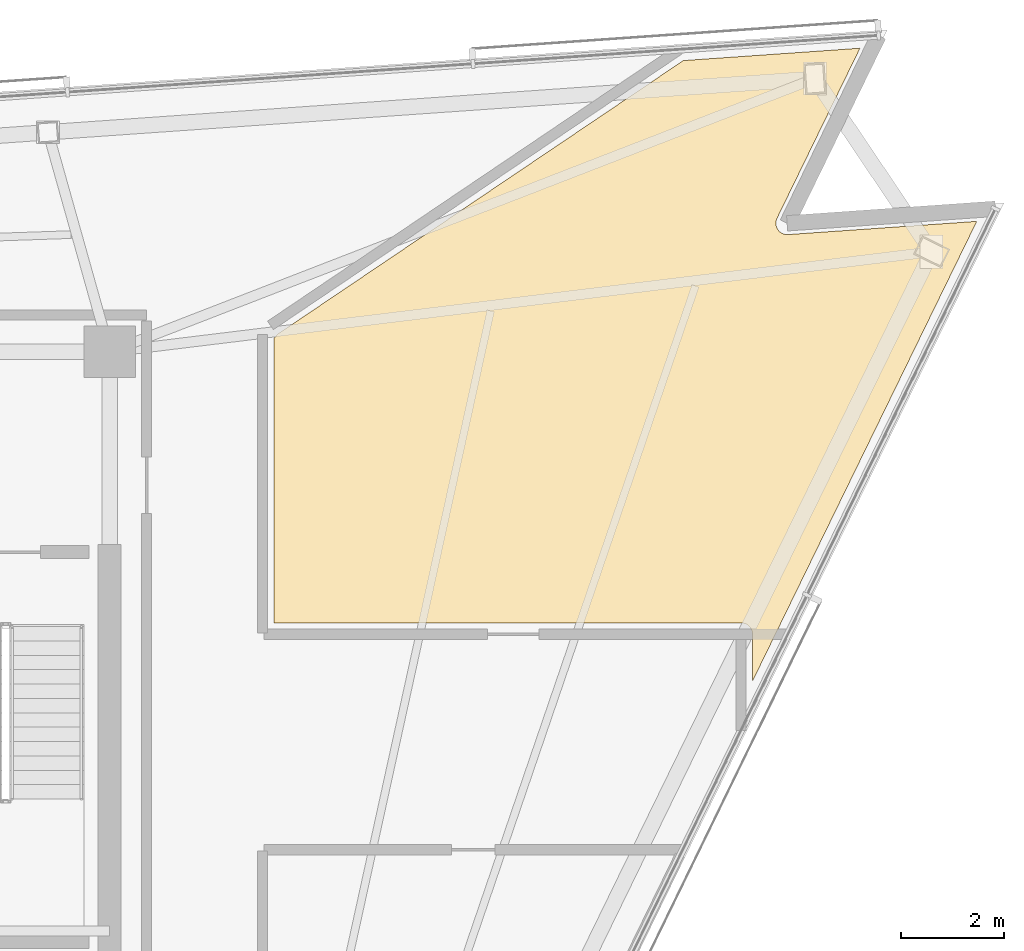
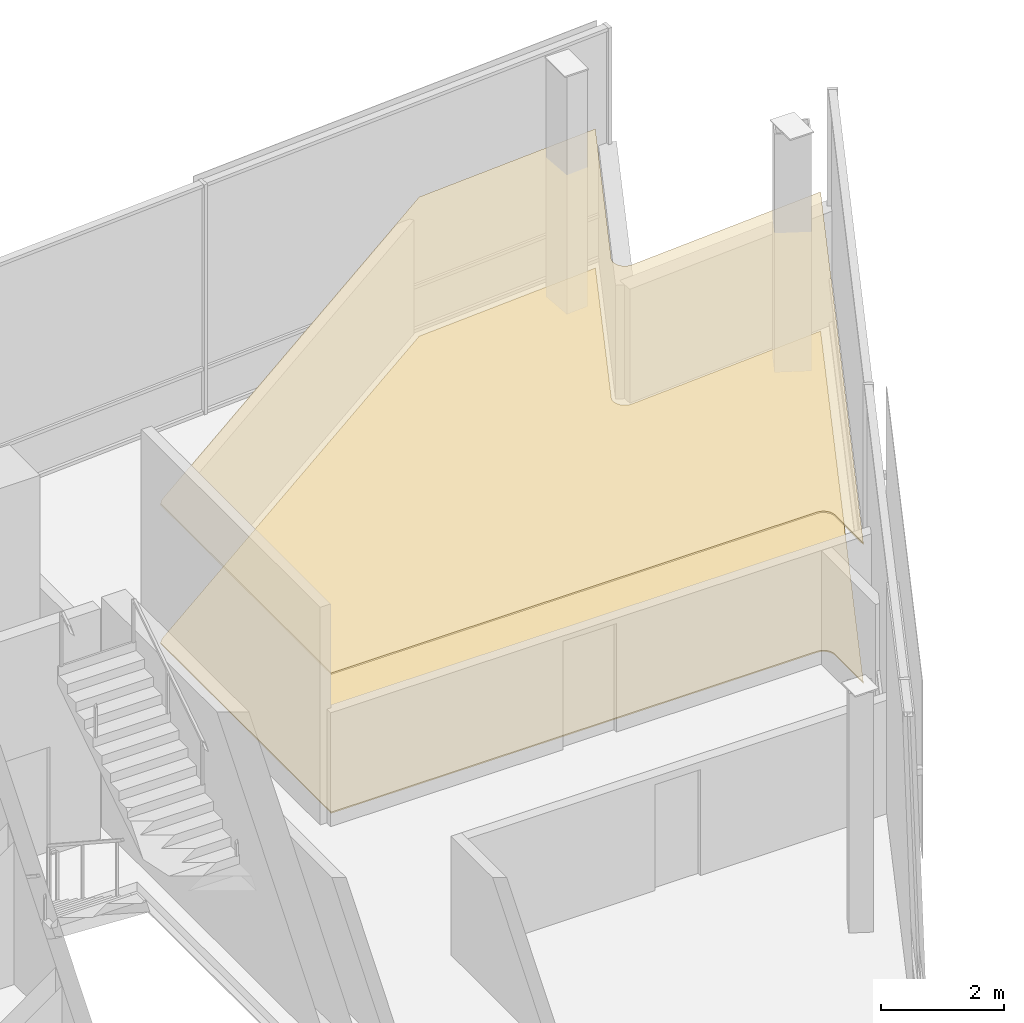
# One storey, part 16 of 16: 2 coverings.
"""IFC4 building model written with IfcOpenShell, lengths in metres."""

from ifc_helpers import new_model, si_unit, direction, frame, origin, place, context, subcontext, project, spatial, polyline, outline, extrude, material, layer, layer_set, type_object, element, save


model = new_model("IFC4")

# Units and contexts
model_context = context("Model", 3, precision=1e-05, world=origin(), true_north=direction((0.0, 1.0)))
body_context = subcontext(model_context, "Body", "Model", "MODEL_VIEW")
ifc_project = project(units=[si_unit("LENGTHUNIT", "METRE"), si_unit("AREAUNIT", "SQUARE_METRE"), si_unit("VOLUMEUNIT", "CUBIC_METRE"), si_unit("PLANEANGLEUNIT", "RADIAN"), si_unit("MASSUNIT", "GRAM", prefix="KILO")], contexts=[model_context])

# Site, building, storey
site_placement = place(None, origin())
site = spatial("IfcSite", under=ifc_project, at=site_placement, CompositionType="ELEMENT")
building_placement = place(site_placement, origin())
building = spatial("IfcBuilding", under=site, at=building_placement, Name="Tharavind Bronze Gate", CompositionType="ELEMENT")
storey_placement = place(building_placement, frame((0.0, 0.0, 275.0)))
storey = spatial("IfcBuildingStorey", under=building, at=storey_placement, Name="L71", CompositionType="ELEMENT", Elevation=275.0)

# Coverings
ifc_material_1 = material(Name="Engineered Oak & Carpet Tile", Category="wood")
ifc_layer_1 = layer(ifc_material_1, 0.02490234375)
ifc_layer_set_1 = layer_set([ifc_layer_1], Name="Engineered Oak & Carpet Tile")
covering_type_1 = type_object("IfcCoveringType", Name="ENGINEERED TIMBER FLOORING", PredefinedType="FLOORING", material=ifc_layer_set_1)
covering_1_placement = place(storey_placement, origin())
element("IfcCovering", 1, at=covering_1_placement, inside=storey, type_object=covering_type_1, Name="L71-RM-01 floor finish", PredefinedType="FLOORING", context=body_context, shape_type="SweptSolid", body=[
    extrude(outline(polyline([(21.199462890625, 2.320068359375), (21.210205078125, 2.319580078125), (21.210693359375, 2.319580078125), (21.232421875, 2.317626953125), (21.25341796875, 2.3134765625), (21.274169921875, 2.30712890625), (21.2939453125, 2.298828125), (21.31298828125, 2.288818359375), (21.3310546875, 2.276611328125), (21.34765625, 2.262939453125), (21.363037109375, 2.247802734375), (21.376708984375, 2.23095703125), (21.388671875, 2.213134765625), (21.398681640625, 2.194091796875), (21.406982421875, 2.174072265625), (21.413330078125, 2.1533203125), (21.41748046875, 2.13232421875), (21.419677734375, 2.11083984375), (21.419677734375, 2.110107421875), (21.419921875, 2.099365234375), (21.419921875, 1.181640625), (25.79052734375, 10.142578125), (22.11328125, 9.885498046875), (22.102294921875, 9.885009765625), (22.1015625, 9.885009765625), (22.07958984375, 9.885498046875), (22.05810546875, 9.888427734375), (22.03662109375, 9.893310546875), (22.015869140625, 9.900390625), (21.995849609375, 9.90966796875), (21.97705078125, 9.920654296875), (21.959228515625, 9.93359375), (21.94287109375, 9.947998046875), (21.927978515625, 9.96435546875), (21.914794921875, 9.981689453125), (21.903564453125, 10.00048828125), (21.89404296875, 10.0205078125), (21.88671875, 10.041015625), (21.88134765625, 10.062255859375), (21.878173828125, 10.083984375), (21.877197265625, 10.10595703125), (21.87841796875, 10.127685546875), (21.8818359375, 10.1494140625), (21.88720703125, 10.170654296875), (21.89501953125, 10.19140625), (21.895263671875, 10.19189453125), (21.899658203125, 10.201904296875), (23.515625, 13.51513671875), (20.073486328125, 13.2744140625), (12.176513671875, 7.94775390625), (12.10009765625, 7.86181640625), (12.10009765625, 2.320068359375), (21.199462890625, 2.320068359375)])), origin(), (0.0, 0.0, 1.0), 0.02490234375),
])
ifc_material_2 = material(Name="Acoustic Gypsum Board", Category="gypsum")
ifc_layer_2 = layer(ifc_material_2, 0.030029296875)
ifc_layer_set_2 = layer_set([ifc_layer_2], Name="Acoustic Gypsum Board")
covering_type_2 = type_object("IfcCoveringType", Name="GYPSUM SUSPENDED CEILING", PredefinedType="CEILING", material=ifc_layer_set_2)
covering_2_placement = place(storey_placement, frame((0.0, 0.0, 2.75)))
element("IfcCovering", 2, at=covering_2_placement, inside=storey, type_object=covering_type_2, Name="L71-RM-01 suspended ceiling", PredefinedType="CEILING", context=body_context, shape_type="SweptSolid", body=[
    extrude(outline(polyline([(21.199462890625, 2.320068359375), (21.210205078125, 2.319580078125), (21.210693359375, 2.319580078125), (21.232421875, 2.317626953125), (21.25341796875, 2.3134765625), (21.274169921875, 2.30712890625), (21.2939453125, 2.298828125), (21.31298828125, 2.288818359375), (21.3310546875, 2.276611328125), (21.34765625, 2.262939453125), (21.363037109375, 2.247802734375), (21.376708984375, 2.23095703125), (21.388671875, 2.213134765625), (21.398681640625, 2.194091796875), (21.406982421875, 2.174072265625), (21.413330078125, 2.1533203125), (21.41748046875, 2.13232421875), (21.419677734375, 2.11083984375), (21.419677734375, 2.110107421875), (21.419921875, 2.099365234375), (21.419921875, 1.181640625), (25.79052734375, 10.142578125), (22.11328125, 9.885498046875), (22.102294921875, 9.885009765625), (22.1015625, 9.885009765625), (22.07958984375, 9.885498046875), (22.05810546875, 9.888427734375), (22.03662109375, 9.893310546875), (22.015869140625, 9.900390625), (21.995849609375, 9.90966796875), (21.97705078125, 9.920654296875), (21.959228515625, 9.93359375), (21.94287109375, 9.947998046875), (21.927978515625, 9.96435546875), (21.914794921875, 9.981689453125), (21.903564453125, 10.00048828125), (21.89404296875, 10.0205078125), (21.88671875, 10.041015625), (21.88134765625, 10.062255859375), (21.878173828125, 10.083984375), (21.877197265625, 10.10595703125), (21.87841796875, 10.127685546875), (21.8818359375, 10.1494140625), (21.88720703125, 10.170654296875), (21.89501953125, 10.19140625), (21.895263671875, 10.19189453125), (21.899658203125, 10.201904296875), (23.515625, 13.51513671875), (20.073486328125, 13.2744140625), (12.176513671875, 7.94775390625), (12.10009765625, 7.86181640625), (12.10009765625, 2.320068359375), (21.199462890625, 2.320068359375)])), origin(), (0.0, 0.0, 1.0), 0.034912109375),
])

save(model, "model.ifc")
